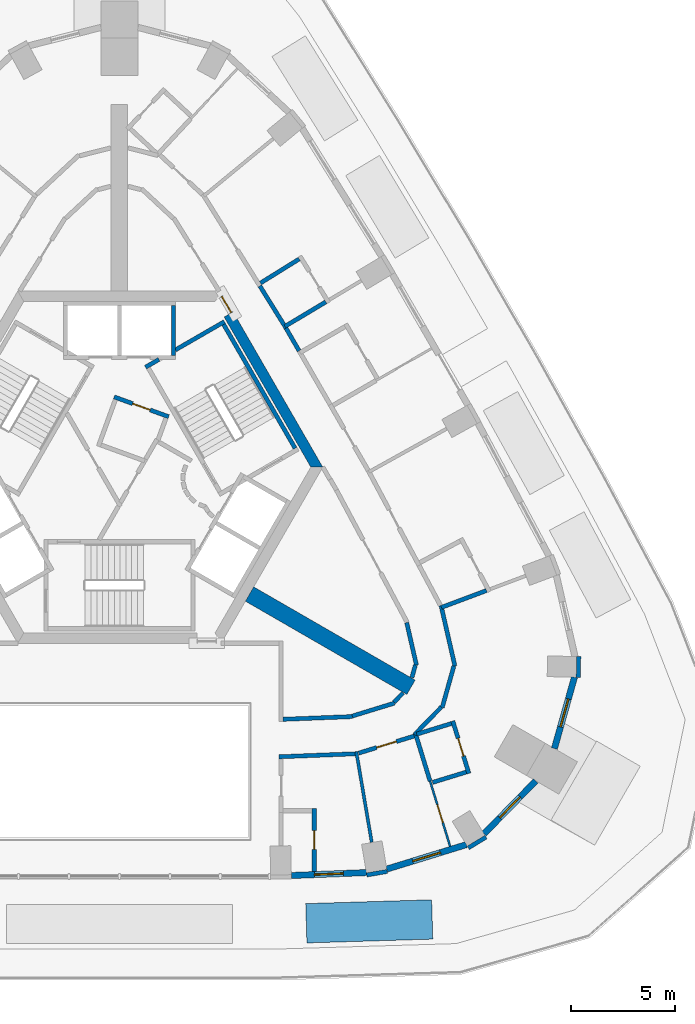
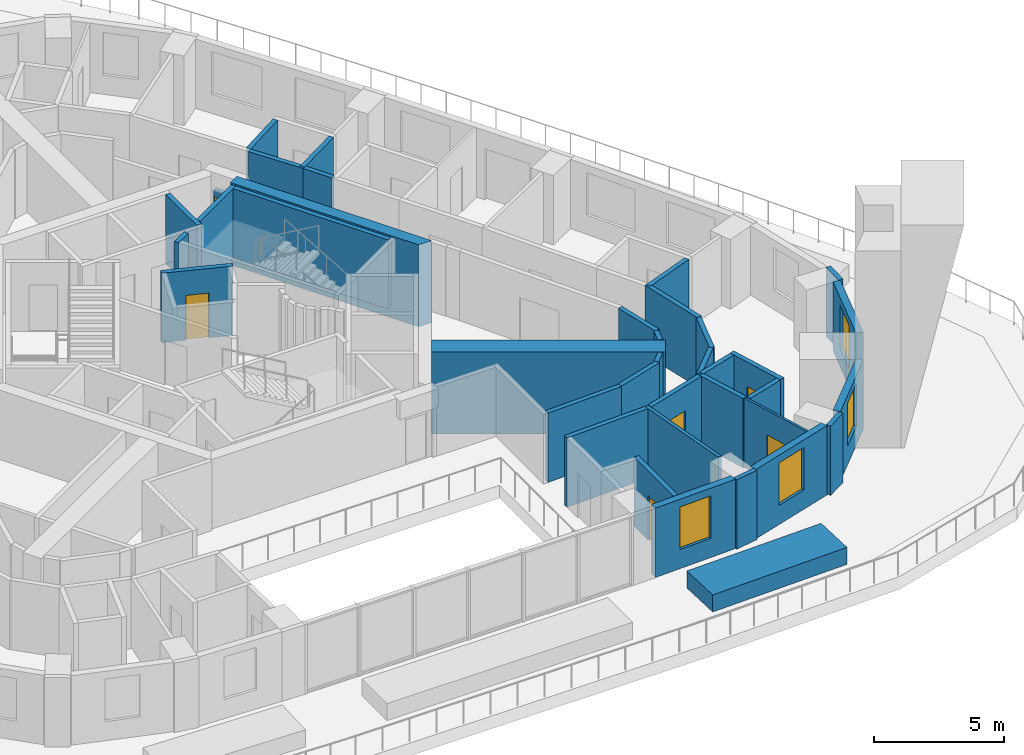
# One storey, part 6 of 12: 38 walls, 6 doors, 4 windows, 10 openings.
"""IFC4 building model written with IfcOpenShell, lengths in metres."""

from ifc_helpers import new_model, si_unit, direction, frame, frame_2d, origin, place, context, subcontext, project, spatial, polyline, rectangle, outline, extrude, material, layer, layer_set, type_object, element, fill, save


model = new_model("IFC4")

# Units and contexts
model_context = context("Model", 3, precision=1e-05, world=origin(), true_north=direction((0.0, 1.0)))
body_context = subcontext(model_context, "Body", "Model", "MODEL_VIEW")
ifc_project = project(units=[si_unit("LENGTHUNIT", "METRE"), si_unit("AREAUNIT", "SQUARE_METRE"), si_unit("VOLUMEUNIT", "CUBIC_METRE"), si_unit("PLANEANGLEUNIT", "RADIAN"), si_unit("MASSUNIT", "GRAM", prefix="KILO")], contexts=[model_context])

# Site, building, storey
site_placement = place(None, origin())
site = spatial("IfcSite", under=ifc_project, at=site_placement, CompositionType="ELEMENT")
building_placement = place(site_placement, origin())
building = spatial("IfcBuilding", under=site, at=building_placement, Name="Entoto Arch Interchange Tower", CompositionType="ELEMENT")
storey_placement = place(building_placement, frame((0.0, 0.0, 286.39990234375)))
storey = spatial("IfcBuildingStorey", under=building, at=storey_placement, Name="L66", CompositionType="ELEMENT", Elevation=286.39990234375)

# Wall
ifc_material_1 = material(Name="Concrete C40/50", Category="concrete")
ifc_layer_1 = layer(ifc_material_1, 0.800048828125)
ifc_layer_set_1 = layer_set([ifc_layer_1], Name="Concrete C40/50")
wall_type_1 = type_object("IfcWallType", Name="Buttress wall 800 C40/50", PredefinedType="SHEAR", material=ifc_layer_set_1)
wall_1_placement = place(storey_placement, frame((6.279052734375, -3.625, -0.599853515625), z_axis=(0.0, 0.0, 1.0), x_axis=(0.866017533419, -0.500013631625, 0.0)))
element("IfcWall", 1, at=wall_1_placement, inside=storey, type_object=wall_type_1, Name="Buttress wall SE L66", PredefinedType="SHEAR", context=body_context, shape_type="SweptSolid", body=[
    extrude(rectangle(XDim=8.999755859375, YDim=0.800048828125, at=frame_2d((4.5, 0.0))), origin(), (0.0, 0.0, 1.0), 3.85986328125),
])

# Wall, opening, door
ifc_material_2 = material(Name="Reinforced concrete C40/50", Category="concrete")
ifc_layer_2 = layer(ifc_material_2, 0.199951171875)
ifc_layer_set_2 = layer_set([ifc_layer_2], Name="Reinforced concrete C40/50")
wall_type_2 = type_object("IfcWallType", Name="CORE GAP INFILL WALL", PredefinedType="PARTITIONING", material=ifc_layer_set_2)
wall_2_placement = place(storey_placement, frame((5.39892578125, 9.947998046875, 0.0), z_axis=(0.0, 0.0, 1.0), x_axis=(-0.499882215713, 0.866093395895, 0.0)))
wall_2 = element("IfcWall", 2, at=wall_2_placement, inside=storey, type_object=wall_type_2, Name="wall:L66:gap2", PredefinedType="PARTITIONING", context=body_context, shape_type="SweptSolid", body=[
    extrude(rectangle(XDim=0.926025390625, YDim=0.199951171875, at=frame_2d((0.462890625, 0.0))), origin(), (0.0, 0.0, 1.0), 2.400146484375),
])
opening_1_placement = place(wall_2_placement, frame((0.01708984375, 0.0, 0.0)))
opening_1 = element("IfcOpeningElement", 3, at=opening_1_placement, cuts=wall_2, Name="Opening L66-D92", PredefinedType="OPENING", context=body_context, shape_type="SweptSolid", body=[
    extrude(rectangle(XDim=0.89990234375, YDim=2.10009765625, at=frame_2d((0.449951171875, 1.050048828125))), frame((0.0, 0.10986328125, 0.0), z_axis=(0.0, -1.0, 0.0), x_axis=(1.0, 0.0, 0.0)), (0.0, 0.0, 1.0), 0.219970703125),
])
ifc_material_3 = material(Name="Fire-rated Steel S235 door and frame", Category="steel")
door_type_1 = type_object("IfcDoorType", Name="DOOR FD-09 900x2100", OperationType="SINGLE_SWING_LEFT", PredefinedType="DOOR", material=ifc_material_3)
door_1_placement = place(opening_1_placement, origin())
door_1 = element("IfcDoor", 4, at=door_1_placement, inside=storey, type_object=door_type_1, Name="door:L66:gap2", OperationType="SINGLE_SWING_LEFT", OverallHeight=2.10009765625, OverallWidth=0.89990234375, PredefinedType="DOOR", context=body_context, shape_type="SweptSolid", body=[
    extrude(rectangle(XDim=0.89990234375, YDim=2.10009765625, at=frame_2d((0.449951171875, 1.050048828125))), frame((0.0, 0.02490234375, 0.0), z_axis=(0.0, -1.0, 0.0), x_axis=(1.0, 0.0, 0.0)), (0.0, 0.0, 1.0), 0.050048828125),
])
fill(opening_1, door_1)

# Walls
ifc_layer_3 = layer(ifc_material_1, 0.5)
ifc_layer_set_3 = layer_set([ifc_layer_3], Name="Concrete C40/50")
wall_type_3 = type_object("IfcWallType", Name="Core wall 500 C40/50", PredefinedType="SHEAR", material=ifc_layer_set_3)
wall_3_placement = place(storey_placement, frame((0.0, 0.0, -0.599853515625)))
element("IfcWall", 5, at=wall_3_placement, inside=storey, type_object=wall_type_3, Name="Core wall NE L66", PredefinedType="SHEAR", context=body_context, shape_type="SweptSolid", body=[
    extrude(outline(polyline([(5.486083984375, 9.998046875), (5.052978515625, 9.748046875), (9.238037109375, 2.5), (9.81494140625, 2.5), (5.486083984375, 9.998046875)])), origin(), (0.0, 0.0, 1.0), 3.85986328125),
])
ifc_layer_4 = layer(ifc_material_1, 0.199951171875)
ifc_layer_set_4 = layer_set([ifc_layer_4], Name="Concrete C40/50")
wall_type_4 = type_object("IfcWallType", Name="LIFT SHAFT WALL 200", PredefinedType="STANDARD", material=ifc_layer_set_4)
wall_4_placement = place(storey_placement, frame((2.60009765625, 7.89990234375, 0.0), z_axis=(0.0, 0.0, 1.0), x_axis=(0.0, 1.0, 0.0)))
element("IfcWall", 6, at=wall_4_placement, inside=storey, type_object=wall_type_4, Name="Shaft wall N1 cross 1", PredefinedType="STANDARD", context=body_context, shape_type="SweptSolid", body=[
    extrude(rectangle(XDim=2.400146484375, YDim=0.199951171875, at=frame_2d((1.2001953125, 0.0))), origin(), (0.0, 0.0, 1.0), 3.260009765625),
])

# Wall, opening, door
ifc_material_4 = material(Name="Gypsum board partition on steel studs", Category="steel")
ifc_layer_5 = layer(ifc_material_4, 0.10009765625)
ifc_layer_set_5 = layer_set([ifc_layer_5], Name="Gypsum board partition on steel studs")
wall_type_5 = type_object("IfcWallType", Name="PARTITION 100", PredefinedType="PARTITIONING", material=ifc_layer_set_5)
wall_5_placement = place(storey_placement, frame((14.991943359375, -12.64990234375, 0.0), z_axis=(0.0, 0.0, 1.0), x_axis=(0.293675064948, -0.955905307145, 0.0)))
wall_5 = element("IfcWall", 7, at=wall_5_placement, inside=storey, type_object=wall_type_5, Name="wall:L66:p088", PredefinedType="PARTITIONING", context=body_context, shape_type="SweptSolid", body=[
    extrude(rectangle(XDim=3.299560546875, YDim=0.10009765625, at=frame_2d((1.64990234375, 0.0))), origin(), (0.0, 0.0, 1.0), 3.260009765625),
])
opening_2_placement = place(wall_5_placement, frame((1.199951171875, 0.0, 0.0)))
opening_2 = element("IfcOpeningElement", 8, at=opening_2_placement, cuts=wall_5, Name="Opening L66-D04", PredefinedType="OPENING", context=body_context, shape_type="SweptSolid", body=[
    extrude(rectangle(XDim=0.89990234375, YDim=2.10009765625, at=frame_2d((0.449951171875, 1.050048828125))), frame((0.0, 0.06005859375, 0.0), z_axis=(0.0, -1.0, 0.0), x_axis=(1.0, 0.0, 0.0)), (0.0, 0.0, 1.0), 0.1201171875),
])
ifc_material_5 = material(Name="Timber door leaf in Steel S235 frame", Category="steel")
door_type_2 = type_object("IfcDoorType", Name="DOOR DS-09 900x2100", OperationType="SINGLE_SWING_LEFT", PredefinedType="DOOR", material=ifc_material_5)
door_2_placement = place(opening_2_placement, origin())
door_2 = element("IfcDoor", 9, at=door_2_placement, inside=storey, type_object=door_type_2, Name="door:L66:04", OperationType="SINGLE_SWING_LEFT", OverallHeight=2.10009765625, OverallWidth=0.89990234375, PredefinedType="DOOR", context=body_context, shape_type="SweptSolid", body=[
    extrude(rectangle(XDim=0.89990234375, YDim=2.10009765625, at=frame_2d((0.449951171875, 1.050048828125))), frame((0.0, 0.02490234375, 0.0), z_axis=(0.0, -1.0, 0.0), x_axis=(1.0, 0.0, 0.0)), (0.0, 0.0, 1.0), 0.050048828125),
])
fill(opening_2, door_2)

# Wall
ifc_layer_6 = layer(ifc_material_4, 0.14990234375)
ifc_layer_set_6 = layer_set([ifc_layer_6], Name="Gypsum board partition on steel studs")
wall_type_6 = type_object("IfcWallType", Name="PARTITION 150", PredefinedType="PARTITIONING", material=ifc_layer_set_6)
wall_6_placement = place(storey_placement, frame((11.431884765625, -11.23388671875, 0.0), z_axis=(0.0, 0.0, 1.0), x_axis=(0.16797255243, -0.98579167253, 0.0)))
element("IfcWall", 10, at=wall_6_placement, inside=storey, type_object=wall_type_6, Name="wall:L66:p087", PredefinedType="PARTITIONING", context=body_context, shape_type="SweptSolid", body=[
    extrude(rectangle(XDim=4.43017578125, YDim=0.14990234375, at=frame_2d((2.215087890625, 0.0))), origin(), (0.0, 0.0, 1.0), 3.260009765625),
])

# Wall, opening, door
ifc_layer_7 = layer(ifc_material_4, 0.199951171875)
ifc_layer_set_7 = layer_set([ifc_layer_7], Name="Gypsum board partition on steel studs")
wall_type_7 = type_object("IfcWallType", Name="PARTITION 200", PredefinedType="PARTITIONING", material=ifc_layer_set_7)
wall_7_placement = place(storey_placement, frame((2.3759765625, 4.93408203125, 0.0), z_axis=(0.0, 0.0, 1.0), x_axis=(-0.939640574808, 0.342163104635, 0.0)))
wall_7 = element("IfcWall", 11, at=wall_7_placement, inside=storey, type_object=wall_type_7, Name="wall:L66:p003", PredefinedType="PARTITIONING", context=body_context, shape_type="SweptSolid", body=[
    extrude(rectangle(XDim=2.7998046875, YDim=0.199951171875, at=frame_2d((1.39990234375, 0.0))), origin(), (0.0, 0.0, 1.0), 3.260009765625),
])
opening_3_placement = place(wall_7_placement, frame((0.949951171875, 0.0, 0.0)))
opening_3 = element("IfcOpeningElement", 12, at=opening_3_placement, cuts=wall_7, Name="Opening L66-D36", PredefinedType="OPENING", context=body_context, shape_type="SweptSolid", body=[
    extrude(rectangle(XDim=0.89990234375, YDim=2.10009765625, at=frame_2d((0.449951171875, 1.050048828125))), frame((0.0, 0.10986328125, 0.0), z_axis=(0.0, -1.0, 0.0), x_axis=(1.0, 0.0, 0.0)), (0.0, 0.0, 1.0), 0.219970703125),
])
door_3_placement = place(opening_3_placement, origin())
door_3 = element("IfcDoor", 13, at=door_3_placement, inside=storey, type_object=door_type_2, Name="door:L66:36", OperationType="SINGLE_SWING_LEFT", OverallHeight=2.10009765625, OverallWidth=0.89990234375, PredefinedType="DOOR", context=body_context, shape_type="SweptSolid", body=[
    extrude(rectangle(XDim=0.89990234375, YDim=2.10009765625, at=frame_2d((0.449951171875, 1.050048828125))), frame((0.0, 0.02490234375, 0.0), z_axis=(0.0, -1.0, 0.0), x_axis=(1.0, 0.0, 0.0)), (0.0, 0.0, 1.0), 0.050048828125),
])
fill(opening_3, door_3)

# Walls
wall_8_placement = place(storey_placement, frame((7.89990234375, -9.6708984375, 0.0), z_axis=(0.0, 0.0, 1.0), x_axis=(0.999223751627, 0.039394088186, 0.0)))
element("IfcWall", 14, at=wall_8_placement, inside=storey, type_object=wall_type_7, Name="wall:L66:p013", PredefinedType="PARTITIONING", context=body_context, shape_type="SweptSolid", body=[
    extrude(rectangle(XDim=3.3466796875, YDim=0.199951171875, at=frame_2d((1.67333984375, 0.0))), origin(), (0.0, 0.0, 1.0), 3.260009765625),
])
wall_9_placement = place(storey_placement, frame((11.239013671875, -9.513916015625, 0.0), z_axis=(0.0, 0.0, 1.0), x_axis=(0.955838469047, 0.293892533234, 0.0)))
element("IfcWall", 15, at=wall_9_placement, inside=storey, type_object=wall_type_7, Name="wall:L66:p014", PredefinedType="PARTITIONING", context=body_context, shape_type="SweptSolid", body=[
    extrude(rectangle(XDim=2.1298828125, YDim=0.199951171875, at=frame_2d((1.06494140625, 0.0))), origin(), (0.0, 0.0, 1.0), 3.260009765625),
])
wall_10_placement = place(storey_placement, frame((13.25, -8.845947265625, 0.0), z_axis=(0.0, 0.0, 1.0), x_axis=(0.698333537371, 0.715772499181, 0.0)))
element("IfcWall", 16, at=wall_10_placement, inside=storey, type_object=wall_type_7, Name="wall:L66:p015", PredefinedType="PARTITIONING", context=body_context, shape_type="SweptSolid", body=[
    extrude(rectangle(XDim=0.6298828125, YDim=0.199951171875, at=frame_2d((0.31494140625, 0.0))), origin(), (0.0, 0.0, 1.0), 3.260009765625),
])
wall_11_placement = place(storey_placement, frame((14.114990234375, -7.658935546875, 0.0), z_axis=(0.0, 0.0, 1.0), x_axis=(0.270633612894, 0.96268242301, 0.0)))
element("IfcWall", 17, at=wall_11_placement, inside=storey, type_object=wall_type_7, Name="wall:L66:p016", PredefinedType="PARTITIONING", context=body_context, shape_type="SweptSolid", body=[
    extrude(rectangle(XDim=0.631591796875, YDim=0.199951171875, at=frame_2d((0.31591796875, 0.0))), origin(), (0.0, 0.0, 1.0), 3.260009765625),
])
wall_12_placement = place(storey_placement, frame((14.3349609375, -7.052001953125, 0.0), z_axis=(0.0, 0.0, 1.0), x_axis=(-0.22355315143, 0.974691740237, 0.0)))
element("IfcWall", 18, at=wall_12_placement, inside=storey, type_object=wall_type_7, Name="wall:L66:p017", PredefinedType="PARTITIONING", context=body_context, shape_type="SweptSolid", body=[
    extrude(rectangle(XDim=2.102294921875, YDim=0.199951171875, at=frame_2d((1.05126953125, 0.0))), origin(), (0.0, 0.0, 1.0), 3.260009765625),
])
wall_13_placement = place(storey_placement, frame((11.47412109375, -11.33203125, 0.0), z_axis=(0.0, 0.0, 1.0), x_axis=(-0.999232546126, -0.039170381199, 0.0)))
element("IfcWall", 19, at=wall_13_placement, inside=storey, type_object=wall_type_7, Name="wall:L66:p030", PredefinedType="PARTITIONING", context=body_context, shape_type="SweptSolid", body=[
    extrude(rectangle(XDim=3.777099609375, YDim=0.199951171875, at=frame_2d((1.888671875, 0.0))), origin(), (0.0, 0.0, 1.0), 3.260009765625),
])

# Wall, opening, door
wall_14_placement = place(storey_placement, frame((14.242919921875, -10.47412109375, 0.0), z_axis=(0.0, 0.0, 1.0), x_axis=(-0.955937788993, -0.293569316475, 0.0)))
wall_14 = element("IfcWall", 20, at=wall_14_placement, inside=storey, type_object=wall_type_7, Name="wall:L66:p031", PredefinedType="PARTITIONING", context=body_context, shape_type="SweptSolid", body=[
    extrude(rectangle(XDim=2.823486328125, YDim=0.199951171875, at=frame_2d((1.41162109375, 0.0))), origin(), (0.0, 0.0, 1.0), 3.260009765625),
])
opening_4_placement = place(wall_14_placement, frame((0.912109375, 0.0, 0.0)))
opening_4 = element("IfcOpeningElement", 21, at=opening_4_placement, cuts=wall_14, Name="Opening L66-D03", PredefinedType="OPENING", context=body_context, shape_type="SweptSolid", body=[
    extrude(rectangle(XDim=1.0, YDim=2.10009765625, at=frame_2d((0.5, 1.050048828125))), frame((0.0, 0.10986328125, 0.0), z_axis=(0.0, -1.0, 0.0), x_axis=(1.0, 0.0, 0.0)), (0.0, 0.0, 1.0), 0.219970703125),
])
door_type_3 = type_object("IfcDoorType", Name="DOOR FD-10 1000x2100", OperationType="SINGLE_SWING_LEFT", PredefinedType="DOOR", material=ifc_material_3)
door_4_placement = place(opening_4_placement, origin())
door_4 = element("IfcDoor", 22, at=door_4_placement, inside=storey, type_object=door_type_3, Name="door:L66:03", OperationType="SINGLE_SWING_LEFT", OverallHeight=2.10009765625, OverallWidth=1.0, PredefinedType="DOOR", context=body_context, shape_type="SweptSolid", body=[
    extrude(rectangle(XDim=1.0, YDim=2.10009765625, at=frame_2d((0.5, 1.050048828125))), frame((0.0, 0.02490234375, 0.0), z_axis=(0.0, -1.0, 0.0), x_axis=(1.0, 0.0, 0.0)), (0.0, 0.0, 1.0), 0.050048828125),
])
fill(opening_4, door_4)

# Walls
wall_15_placement = place(storey_placement, frame((15.52099609375, -4.1708984375, 0.0), z_axis=(0.0, 0.0, 1.0), x_axis=(0.223416387785, -0.974723097946, 0.0)))
element("IfcWall", 23, at=wall_15_placement, inside=storey, type_object=wall_type_7, Name="wall:L66:p032", PredefinedType="PARTITIONING", context=body_context, shape_type="SweptSolid", body=[
    extrude(rectangle(XDim=3.0029296875, YDim=0.199951171875, at=frame_2d((1.50146484375, 0.0))), origin(), (0.0, 0.0, 1.0), 3.260009765625),
])
wall_16_placement = place(storey_placement, frame((16.14306640625, -7.095947265625, 0.0), z_axis=(0.0, 0.0, 1.0), x_axis=(-0.270688011946, -0.962667128445, 0.0)))
element("IfcWall", 24, at=wall_16_placement, inside=storey, type_object=wall_type_7, Name="wall:L66:p033", PredefinedType="PARTITIONING", context=body_context, shape_type="SweptSolid", body=[
    extrude(rectangle(XDim=2.087890625, YDim=0.199951171875, at=frame_2d((1.0439453125, 0.0))), origin(), (0.0, 0.0, 1.0), 3.260009765625),
])
wall_17_placement = place(storey_placement, frame((15.534912109375, -9.0810546875, 0.0), z_axis=(0.0, 0.0, 1.0), x_axis=(-0.698342132704, -0.715764113162, 0.0)))
element("IfcWall", 25, at=wall_17_placement, inside=storey, type_object=wall_type_7, Name="wall:L66:p034", PredefinedType="PARTITIONING", context=body_context, shape_type="SweptSolid", body=[
    extrude(rectangle(XDim=1.835693359375, YDim=0.199951171875, at=frame_2d((0.91796875, 0.0))), origin(), (0.0, 0.0, 1.0), 3.260009765625),
])
wall_18_placement = place(storey_placement, frame((8.0390625, 9.208984375, 0.0), z_axis=(0.0, 0.0, 1.0), x_axis=(0.500219543227, -0.865898613334, 0.0)))
element("IfcWall", 26, at=wall_18_placement, inside=storey, type_object=wall_type_7, Name="wall:L66:p038", PredefinedType="PARTITIONING", context=body_context, shape_type="SweptSolid", body=[
    extrude(rectangle(XDim=1.26123046875, YDim=0.199951171875, at=frame_2d((0.630615234375, 0.0))), origin(), (0.0, 0.0, 1.0), 3.260009765625),
])
wall_19_placement = place(storey_placement, frame((6.77490234375, 11.2490234375, 0.0), z_axis=(0.0, 0.0, 1.0), x_axis=(0.527803270752, -0.849366650736, 0.0)))
element("IfcWall", 27, at=wall_19_placement, inside=storey, type_object=wall_type_7, Name="wall:L66:p041", PredefinedType="PARTITIONING", context=body_context, shape_type="SweptSolid", body=[
    extrude(rectangle(XDim=2.400634765625, YDim=0.199951171875, at=frame_2d((1.2001953125, 0.0))), origin(), (0.0, 0.0, 1.0), 3.260009765625),
])

# Wall, opening, door
wall_20_placement = place(storey_placement, frame((9.39990234375, -17.01806640625, 0.0), z_axis=(0.0, 0.0, 1.0), x_axis=(0.0, 1.0, 0.0)))
wall_20 = element("IfcWall", 28, at=wall_20_placement, inside=storey, type_object=wall_type_7, Name="wall:L66:p085", PredefinedType="PARTITIONING", context=body_context, shape_type="SweptSolid", body=[
    extrude(rectangle(XDim=3.037109375, YDim=0.199951171875, at=frame_2d((1.5185546875, 0.0))), origin(), (0.0, 0.0, 1.0), 3.260009765625),
])
opening_5_placement = place(wall_20_placement, frame((1.069091796875, 0.0, 0.0)))
opening_5 = element("IfcOpeningElement", 29, at=opening_5_placement, cuts=wall_20, Name="Opening L66-D02", PredefinedType="OPENING", context=body_context, shape_type="SweptSolid", body=[
    extrude(rectangle(XDim=0.89990234375, YDim=2.10009765625, at=frame_2d((0.449951171875, 1.050048828125))), frame((0.0, 0.10986328125, 0.0), z_axis=(0.0, -1.0, 0.0), x_axis=(1.0, 0.0, 0.0)), (0.0, 0.0, 1.0), 0.219970703125),
])
door_5_placement = place(opening_5_placement, origin())
door_5 = element("IfcDoor", 30, at=door_5_placement, inside=storey, type_object=door_type_2, Name="door:L66:02", OperationType="SINGLE_SWING_RIGHT", OverallHeight=2.10009765625, OverallWidth=0.89990234375, PredefinedType="DOOR", context=body_context, shape_type="SweptSolid", body=[
    extrude(rectangle(XDim=0.89990234375, YDim=2.10009765625, at=frame_2d((0.449951171875, 1.050048828125))), frame((0.0, 0.02490234375, 0.0), z_axis=(0.0, -1.0, 0.0), x_axis=(1.0, 0.0, 0.0)), (0.0, 0.0, 1.0), 0.050048828125),
])
fill(opening_5, door_5)

# Walls
wall_21_placement = place(storey_placement, frame((14.27197265625, -10.30810546875, 0.0), z_axis=(0.0, 0.0, 1.0), x_axis=(0.293868765171, -0.955845776711, 0.0)))
element("IfcWall", 31, at=wall_21_placement, inside=storey, type_object=wall_type_7, Name="wall:L66:p089", PredefinedType="PARTITIONING", context=body_context, shape_type="SweptSolid", body=[
    extrude(rectangle(XDim=2.449951171875, YDim=0.199951171875, at=frame_2d((1.22509765625, 0.0))), origin(), (0.0, 0.0, 1.0), 3.260009765625),
])
wall_22_placement = place(storey_placement, frame((15.116943359375, -12.716064453125, 0.0), z_axis=(0.0, 0.0, 1.0), x_axis=(0.955940341053, 0.293561006177, 0.0)))
element("IfcWall", 32, at=wall_22_placement, inside=storey, type_object=wall_type_7, Name="wall:L66:p090", PredefinedType="PARTITIONING", context=body_context, shape_type="SweptSolid", body=[
    extrude(rectangle(XDim=1.699951171875, YDim=0.199951171875, at=frame_2d((0.85009765625, 0.0))), origin(), (0.0, 0.0, 1.0), 3.260009765625),
])

# Wall, opening, door
wall_23_placement = place(storey_placement, frame((16.866943359375, -12.282958984375, 0.0), z_axis=(0.0, 0.0, 1.0), x_axis=(-0.29397579302, 0.955812865114, 0.0)))
wall_23 = element("IfcWall", 33, at=wall_23_placement, inside=storey, type_object=wall_type_7, Name="wall:L66:p091", PredefinedType="PARTITIONING", context=body_context, shape_type="SweptSolid", body=[
    extrude(rectangle(XDim=2.650146484375, YDim=0.199951171875, at=frame_2d((1.3251953125, 0.0))), origin(), (0.0, 0.0, 1.0), 3.260009765625),
])
opening_6_placement = place(wall_23_placement, frame((0.875, 0.0, 0.0)))
opening_6 = element("IfcOpeningElement", 34, at=opening_6_placement, cuts=wall_23, Name="Opening L66-D05", PredefinedType="OPENING", context=body_context, shape_type="SweptSolid", body=[
    extrude(rectangle(XDim=0.89990234375, YDim=2.10009765625, at=frame_2d((0.449951171875, 1.050048828125))), frame((0.0, 0.10986328125, 0.0), z_axis=(0.0, -1.0, 0.0), x_axis=(1.0, 0.0, 0.0)), (0.0, 0.0, 1.0), 0.219970703125),
])
door_6_placement = place(opening_6_placement, origin())
door_6 = element("IfcDoor", 35, at=door_6_placement, inside=storey, type_object=door_type_2, Name="door:L66:05", OperationType="SINGLE_SWING_LEFT", OverallHeight=2.10009765625, OverallWidth=0.89990234375, PredefinedType="DOOR", context=body_context, shape_type="SweptSolid", body=[
    extrude(rectangle(XDim=0.89990234375, YDim=2.10009765625, at=frame_2d((0.449951171875, 1.050048828125))), frame((0.0, 0.02490234375, 0.0), z_axis=(0.0, -1.0, 0.0), x_axis=(1.0, 0.0, 0.0)), (0.0, 0.0, 1.0), 0.050048828125),
])
fill(opening_6, door_6)

# Walls
wall_24_placement = place(storey_placement, frame((16.02197265625, -9.875, 0.0), z_axis=(0.0, 0.0, 1.0), x_axis=(-0.955908620472, -0.293664279932, 0.0)))
element("IfcWall", 36, at=wall_24_placement, inside=storey, type_object=wall_type_7, Name="wall:L66:p092", PredefinedType="PARTITIONING", context=body_context, shape_type="SweptSolid", body=[
    extrude(rectangle(XDim=1.75, YDim=0.199951171875, at=frame_2d((0.875, 0.0))), origin(), (0.0, 0.0, 1.0), 3.260009765625),
])
wall_25_placement = place(storey_placement, frame((15.5439453125, -4.26904296875, 0.0), z_axis=(0.0, 0.0, 1.0), x_axis=(0.936463142424, 0.350765994477, 0.0)))
element("IfcWall", 37, at=wall_25_placement, inside=storey, type_object=wall_type_7, Name="wall:L66:p094", PredefinedType="PARTITIONING", context=body_context, shape_type="SweptSolid", body=[
    extrude(rectangle(XDim=2.320556640625, YDim=0.199951171875, at=frame_2d((1.16015625, 0.0))), origin(), (0.0, 0.0, 1.0), 3.260009765625),
])
wall_26_placement = place(storey_placement, frame((7.989013671875, 9.294921875, 0.0), z_axis=(0.0, 0.0, 1.0), x_axis=(0.857801856135, 0.513980520654, 0.0)))
element("IfcWall", 38, at=wall_26_placement, inside=storey, type_object=wall_type_7, Name="wall:L66:p103", PredefinedType="PARTITIONING", context=body_context, shape_type="SweptSolid", body=[
    extrude(rectangle(XDim=2.300048828125, YDim=0.199951171875, at=frame_2d((1.14990234375, 0.0))), origin(), (0.0, 0.0, 1.0), 3.260009765625),
])
wall_27_placement = place(storey_placement, frame((8.676025390625, 12.548095703125, 0.0), z_axis=(0.0, 0.0, 1.0), x_axis=(-0.849286670427, -0.527931957202, 0.0)))
element("IfcWall", 39, at=wall_27_placement, inside=storey, type_object=wall_type_7, Name="wall:L66:p105", PredefinedType="PARTITIONING", context=body_context, shape_type="SweptSolid", body=[
    extrude(rectangle(XDim=2.199462890625, YDim=0.199951171875, at=frame_2d((1.099609375, 0.0))), origin(), (0.0, 0.0, 1.0), 3.260009765625),
])
ifc_material_6 = material(Name="Board-marked precast concrete C50/60", Category="concrete")
ifc_layer_8 = layer(ifc_material_6, 1.89990234375)
ifc_layer_set_8 = layer_set([ifc_layer_8], Name="Board-marked precast concrete C50/60")
wall_type_8 = type_object("IfcWallType", Name="PLANTER RC 1900 Afrocarpus falcatus", PredefinedType="STANDARD", material=ifc_layer_set_8)
wall_28_placement = place(storey_placement, frame((9.02001953125, -19.51611328125, 0.0), z_axis=(0.0, 0.0, 1.0), x_axis=(0.999541363362, 0.030283046891, 0.0)))
element("IfcWall", 40, at=wall_28_placement, inside=storey, type_object=wall_type_8, Name="Terrace planter S-03 L66", PredefinedType="STANDARD", context=body_context, shape_type="SweptSolid", body=[
    extrude(rectangle(XDim=6.07861328125, YDim=1.89990234375, at=frame_2d((3.039306640625, 0.0))), origin(), (0.0, 0.0, 1.0), 0.800048828125),
])
ifc_layer_9 = layer(ifc_material_1, 0.199951171875)
ifc_layer_set_9 = layer_set([ifc_layer_9], Name="Concrete C40/50")
wall_type_9 = type_object("IfcWallType", Name="STAIR ENCLOSURE WALL 200", PredefinedType="STANDARD", material=ifc_layer_set_9)
wall_29_placement = place(storey_placement, frame((2.699951171875, 8.157958984375, 0.0), z_axis=(0.0, 0.0, 1.0), x_axis=(0.86611865017, 0.499838457731, 0.0)))
element("IfcWall", 41, at=wall_29_placement, inside=storey, type_object=wall_type_9, Name="Stair wall ST-NE far", PredefinedType="STANDARD", context=body_context, shape_type="SweptSolid", body=[
    extrude(rectangle(XDim=2.73291015625, YDim=0.199951171875, at=frame_2d((1.366455078125, 0.0))), origin(), (0.0, 0.0, 1.0), 3.260009765625),
])
wall_30_placement = place(storey_placement, frame((1.256103515625, 7.323974609375, 0.0), z_axis=(0.0, 0.0, 1.0), x_axis=(0.865915093549, 0.500191014278, 0.0)))
element("IfcWall", 42, at=wall_30_placement, inside=storey, type_object=wall_type_9, Name="Stair wall ST-NE far return", PredefinedType="STANDARD", context=body_context, shape_type="SweptSolid", body=[
    extrude(rectangle(XDim=0.751708984375, YDim=0.199951171875, at=frame_2d((0.3759765625, 0.0))), origin(), (0.0, 0.0, 1.0), 3.260009765625),
])
wall_31_placement = place(storey_placement, frame((8.47998046875, 3.412109375, 0.0), z_axis=(0.0, 0.0, 1.0), x_axis=(-0.499978703459, 0.866037698999, 0.0)))
element("IfcWall", 43, at=wall_31_placement, inside=storey, type_object=wall_type_9, Name="Stair wall ST-NE back", PredefinedType="STANDARD", context=body_context, shape_type="SweptSolid", body=[
    extrude(rectangle(XDim=6.900146484375, YDim=0.199951171875, at=frame_2d((3.4501953125, 0.0))), origin(), (0.0, 0.0, 1.0), 3.260009765625),
])

# Wall, opening, window
ifc_material_7 = material(Name="Welded tuff (ignimbrite) cladding, warm buff", Category="masonry")
ifc_layer_10 = layer(ifc_material_7, 0.300048828125)
ifc_layer_set_10 = layer_set([ifc_layer_10], Name="Welded tuff (ignimbrite) cladding, warm buff")
wall_type_10 = type_object("IfcWallType", Name="STONE INFILL WALL 300", PredefinedType="STANDARD", material=ifc_layer_set_10)
wall_32_placement = place(storey_placement, frame((8.2958984375, -17.2109375, 0.0), z_axis=(0.0, 0.0, 1.0), x_axis=(0.999234893779, 0.039110446866, 0.0)))
wall_32 = element("IfcWall", 44, at=wall_32_placement, inside=storey, type_object=wall_type_10, Name="Facade wall S-03 L66", PredefinedType="STANDARD", context=body_context, shape_type="SweptSolid", body=[
    extrude(rectangle(XDim=3.626708984375, YDim=0.300048828125, at=frame_2d((1.8134765625, 0.0))), origin(), (0.0, 0.0, 1.0), 3.260009765625),
])
opening_7_placement = place(wall_32_placement, frame((1.113037109375, 0.0, 0.89990234375)))
opening_7 = element("IfcOpeningElement", 45, at=opening_7_placement, cuts=wall_32, Name="Opening WH-B", PredefinedType="OPENING", context=body_context, shape_type="SweptSolid", body=[
    extrude(rectangle(XDim=1.39990234375, YDim=2.0, at=frame_2d((0.699951171875, 1.0))), frame((0.0, 0.16015625, 0.0), z_axis=(0.0, -1.0, 0.0), x_axis=(1.0, 0.0, 0.0)), (0.0, 0.0, 1.0), 0.320068359375),
])
ifc_material_8 = material(Name="Clear glass, low-e double glazed", Category="glass")
window_type = type_object("IfcWindowType", Name="WINDOW WH-B 1400x2000", PartitioningType="DOUBLE_PANEL_VERTICAL", PredefinedType="WINDOW", material=ifc_material_8)
window_1_placement = place(opening_7_placement, origin())
window_1 = element("IfcWindow", 46, at=window_1_placement, inside=storey, type_object=window_type, Name="Window WH-B S-03 L66", OverallHeight=2.0, OverallWidth=1.39990234375, PartitioningType="SINGLE_PANEL", PredefinedType="WINDOW", context=body_context, shape_type="SweptSolid", body=[
    extrude(rectangle(XDim=1.39990234375, YDim=2.0, at=frame_2d((0.699951171875, 1.0))), frame((0.0, 0.030029296875, 0.0), z_axis=(0.0, -1.0, 0.0), x_axis=(1.0, 0.0, 0.0)), (0.0, 0.0, 1.0), 0.06005859375),
])
fill(opening_7, window_1)

wall_33_placement = place(storey_placement, frame((12.904052734375, -16.90087890625, 0.0), z_axis=(0.0, 0.0, 1.0), x_axis=(0.955866957005, 0.293799864716, 0.0)))
wall_33 = element("IfcWall", 47, at=wall_33_placement, inside=storey, type_object=wall_type_10, Name="Facade wall SE-01 L66", PredefinedType="STANDARD", context=body_context, shape_type="SweptSolid", body=[
    extrude(rectangle(XDim=4.01953125, YDim=0.300048828125, at=frame_2d((2.009765625, 0.0))), origin(), (0.0, 0.0, 1.0), 3.260009765625),
])
opening_8_placement = place(wall_33_placement, frame((1.31005859375, 0.0, 0.89990234375)))
opening_8 = element("IfcOpeningElement", 48, at=opening_8_placement, cuts=wall_33, Name="Opening WH-B", PredefinedType="OPENING", context=body_context, shape_type="SweptSolid", body=[
    extrude(rectangle(XDim=1.39990234375, YDim=2.0, at=frame_2d((0.699951171875, 1.0))), frame((0.0, 0.16015625, 0.0), z_axis=(0.0, -1.0, 0.0), x_axis=(1.0, 0.0, 0.0)), (0.0, 0.0, 1.0), 0.320068359375),
])
window_2_placement = place(opening_8_placement, origin())
window_2 = element("IfcWindow", 49, at=window_2_placement, inside=storey, type_object=window_type, Name="Window WH-B SE-01 L66", OverallHeight=2.0, OverallWidth=1.39990234375, PartitioningType="SINGLE_PANEL", PredefinedType="WINDOW", context=body_context, shape_type="SweptSolid", body=[
    extrude(rectangle(XDim=1.39990234375, YDim=2.0, at=frame_2d((0.699951171875, 1.0))), frame((0.0, 0.030029296875, 0.0), z_axis=(0.0, -1.0, 0.0), x_axis=(1.0, 0.0, 0.0)), (0.0, 0.0, 1.0), 0.06005859375),
])
fill(opening_8, window_2)

wall_34_placement = place(storey_placement, frame((17.597900390625, -15.199951171875, 0.0), z_axis=(0.0, 0.0, 1.0), x_axis=(0.698555868355, 0.715555517614, 0.0)))
wall_34 = element("IfcWall", 50, at=wall_34_placement, inside=storey, type_object=wall_type_10, Name="Facade wall SE-02 L66", PredefinedType="STANDARD", context=body_context, shape_type="SweptSolid", body=[
    extrude(rectangle(XDim=3.575927734375, YDim=0.300048828125, at=frame_2d((1.7880859375, 0.0))), origin(), (0.0, 0.0, 1.0), 3.260009765625),
])
opening_9_placement = place(wall_34_placement, frame((1.087890625, 0.0, 0.89990234375)))
opening_9 = element("IfcOpeningElement", 51, at=opening_9_placement, cuts=wall_34, Name="Opening WH-B", PredefinedType="OPENING", context=body_context, shape_type="SweptSolid", body=[
    extrude(rectangle(XDim=1.39990234375, YDim=2.0, at=frame_2d((0.699951171875, 1.0))), frame((0.0, 0.16015625, 0.0), z_axis=(0.0, -1.0, 0.0), x_axis=(1.0, 0.0, 0.0)), (0.0, 0.0, 1.0), 0.320068359375),
])
window_3_placement = place(opening_9_placement, origin())
window_3 = element("IfcWindow", 52, at=window_3_placement, inside=storey, type_object=window_type, Name="Window WH-B SE-02 L66", OverallHeight=2.0, OverallWidth=1.39990234375, PartitioningType="SINGLE_PANEL", PredefinedType="WINDOW", context=body_context, shape_type="SweptSolid", body=[
    extrude(rectangle(XDim=1.39990234375, YDim=2.0, at=frame_2d((0.699951171875, 1.0))), frame((0.0, 0.030029296875, 0.0), z_axis=(0.0, -1.0, 0.0), x_axis=(1.0, 0.0, 0.0)), (0.0, 0.0, 1.0), 0.06005859375),
])
fill(opening_9, window_3)

wall_35_placement = place(storey_placement, frame((20.9951171875, -11.0830078125, 0.0), z_axis=(0.0, 0.0, 1.0), x_axis=(0.270589405397, 0.962694849725, 0.0)))
wall_35 = element("IfcWall", 53, at=wall_35_placement, inside=storey, type_object=wall_type_10, Name="Facade wall SE-03 L66", PredefinedType="STANDARD", context=body_context, shape_type="SweptSolid", body=[
    extrude(rectangle(XDim=3.57666015625, YDim=0.300048828125, at=frame_2d((1.788330078125, 0.0))), origin(), (0.0, 0.0, 1.0), 3.260009765625),
])
opening_10_placement = place(wall_35_placement, frame((1.087890625, 0.0, 0.89990234375)))
opening_10 = element("IfcOpeningElement", 54, at=opening_10_placement, cuts=wall_35, Name="Opening WH-B", PredefinedType="OPENING", context=body_context, shape_type="SweptSolid", body=[
    extrude(rectangle(XDim=1.39990234375, YDim=2.0, at=frame_2d((0.699951171875, 1.0))), frame((0.0, 0.16015625, 0.0), z_axis=(0.0, -1.0, 0.0), x_axis=(1.0, 0.0, 0.0)), (0.0, 0.0, 1.0), 0.320068359375),
])
window_4_placement = place(opening_10_placement, origin())
window_4 = element("IfcWindow", 55, at=window_4_placement, inside=storey, type_object=window_type, Name="Window WH-B SE-03 L66", OverallHeight=2.0, OverallWidth=1.39990234375, PartitioningType="SINGLE_PANEL", PredefinedType="WINDOW", context=body_context, shape_type="SweptSolid", body=[
    extrude(rectangle(XDim=1.39990234375, YDim=2.0, at=frame_2d((0.699951171875, 1.0))), frame((0.0, 0.030029296875, 0.0), z_axis=(0.0, -1.0, 0.0), x_axis=(1.0, 0.0, 0.0)), (0.0, 0.0, 1.0), 0.06005859375),
])
fill(opening_10, window_4)

# Walls
ifc_layer_11 = layer(ifc_material_7, 0.199951171875)
ifc_layer_set_11 = layer_set([ifc_layer_11], Name="Welded tuff (ignimbrite) cladding, warm buff")
wall_type_11 = type_object("IfcWallType", Name="STONE PIER CLADDING 200", PredefinedType="STANDARD", material=ifc_layer_set_11)
wall_36_placement = place(storey_placement, frame((11.93798828125, -17.18310546875, 0.0), z_axis=(0.0, 0.0, 1.0), x_axis=(0.985760116403, 0.168157643031, 0.0)))
element("IfcWall", 56, at=wall_36_placement, inside=storey, type_object=wall_type_11, Name="Stone pier S04 L66", PredefinedType="STANDARD", context=body_context, shape_type="SweptSolid", body=[
    extrude(rectangle(XDim=1.000244140625, YDim=0.199951171875, at=frame_2d((0.5, 0.0))), origin(), (0.0, 0.0, 1.0), 3.260009765625),
])
wall_37_placement = place(storey_placement, frame((16.840087890625, -15.8759765625, 0.0), z_axis=(0.0, 0.0, 1.0), x_axis=(0.853679739553, 0.520798331677, 0.0)))
element("IfcWall", 57, at=wall_37_placement, inside=storey, type_object=wall_type_11, Name="Stone pier SE1 L66", PredefinedType="STANDARD", context=body_context, shape_type="SweptSolid", body=[
    extrude(rectangle(XDim=1.00048828125, YDim=0.199951171875, at=frame_2d((0.500244140625, 0.0))), origin(), (0.0, 0.0, 1.0), 3.260009765625),
])
wall_38_placement = place(storey_placement, frame((22.14501953125, -7.64501953125, 0.0), z_axis=(0.0, 0.0, 1.0), x_axis=(0.023942303888, 0.999713341956, 0.0)))
element("IfcWall", 58, at=wall_38_placement, inside=storey, type_object=wall_type_11, Name="Stone pier SE3 L66", PredefinedType="STANDARD", context=body_context, shape_type="SweptSolid", body=[
    extrude(rectangle(XDim=0.999267578125, YDim=0.199951171875, at=frame_2d((0.49951171875, 0.0))), origin(), (0.0, 0.0, 1.0), 3.260009765625),
])

save(model, "model.ifc")
